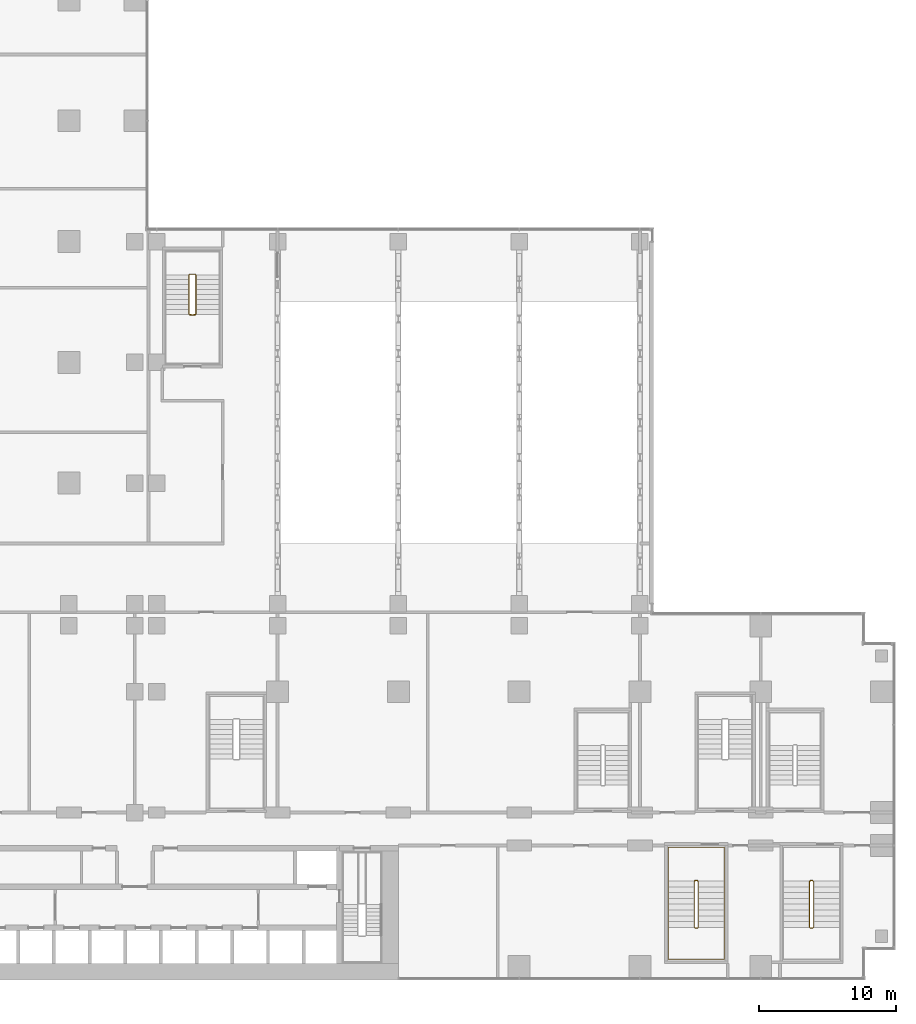
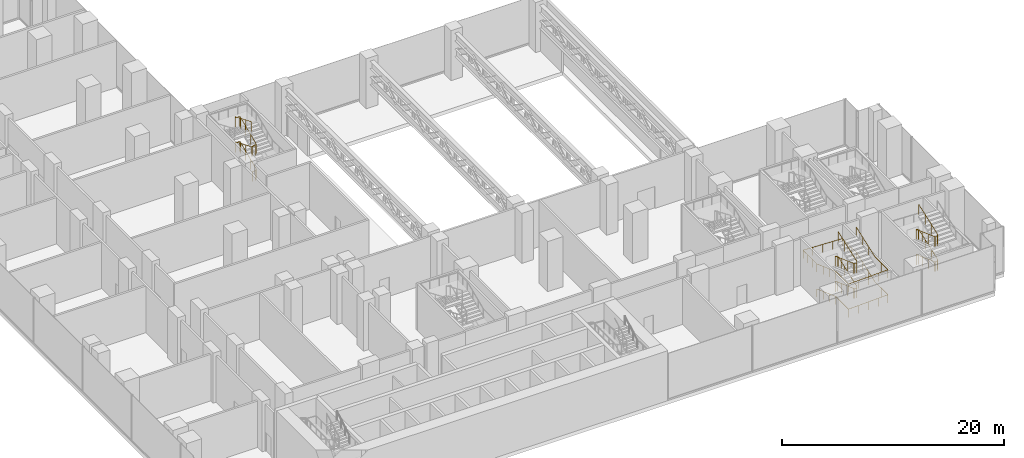
# One storey, part 28 of 30: 4 railings.
"""IFC4 building model written with IfcOpenShell, lengths in metres."""

from ifc_helpers import new_model, si_unit, direction, frame, origin, origin_2d, place, context, subcontext, project, spatial, circle, extrude, material, type_object, element, save


model = new_model("IFC4")

# Units and contexts
model_context = context("Model", 3, precision=1e-05, world=origin(), true_north=direction((0.0, 1.0)))
body_context = subcontext(model_context, "Body", "Model", "MODEL_VIEW")
ifc_project = project(units=[si_unit("LENGTHUNIT", "METRE"), si_unit("AREAUNIT", "SQUARE_METRE"), si_unit("VOLUMEUNIT", "CUBIC_METRE"), si_unit("PLANEANGLEUNIT", "RADIAN"), si_unit("MASSUNIT", "GRAM", prefix="KILO")], contexts=[model_context])

# Site, building, storey
site_placement = place(None, origin())
site = spatial("IfcSite", under=ifc_project, at=site_placement, CompositionType="ELEMENT")
building_placement = place(site_placement, origin())
building = spatial("IfcBuilding", under=site, at=building_placement, Name="Kemantara Hotel Tower", CompositionType="ELEMENT")
storey_placement = place(building_placement, frame((0.0, 0.0, 23.5)))
storey = spatial("IfcBuildingStorey", under=building, at=storey_placement, Name="L04", CompositionType="ELEMENT", Elevation=23.5)

# Railings
ifc_material = material(Name="Stainless steel balustrade", Category="steel")
railing_type_1 = type_object("IfcRailingType", Name="Stair guard 1100 mm", PredefinedType="GUARDRAIL", material=ifc_material)
railing_1_placement = place(storey_placement, frame((29.75, 48.5, 5.5)))
element("IfcRailing", 1, at=railing_1_placement, inside=storey, type_object=railing_type_1, Name="L04 PS2 stair guard 1", PredefinedType="GUARDRAIL", context=body_context, shape_type="SweptSolid", body=[
    extrude(circle(Radius=0.02392578125, at=origin_2d()), frame((0.0, 0.0, 1.076171875), z_axis=(0.0, 0.920535863683, -0.390658064903), x_axis=(-1.0, 0.0, 0.0)), (0.0, 0.0, 1.0), 3.12841796875),
    extrude(circle(Radius=0.02392578125, at=origin_2d()), frame((0.0, 2.8798828125, -0.14599609375), z_axis=(0.297155754911, 0.297155754911, -0.90741220768), x_axis=(-0.707106781187, 0.707106781187, 0.0)), (0.0, 0.0, 1.0), 0.16845703125),
    extrude(circle(Radius=0.02392578125, at=origin_2d()), frame((0.050048828125, 2.929931640625, -0.298828125), z_axis=(1.0, 0.0, 0.0), x_axis=(0.0, 1.0, 0.0)), (0.0, 0.0, 1.0), 0.39990234375),
    extrude(circle(Radius=0.02392578125, at=origin_2d()), frame((0.449951171875, 2.929931640625, -0.298828125), z_axis=(0.707106781187, -0.707106781187, 0.0), x_axis=(0.707106781187, 0.707106781187, 0.0)), (0.0, 0.0, 1.0), 0.07080078125),
    extrude(circle(Radius=0.02392578125, at=origin_2d()), frame((0.5, 2.8798828125, -0.298828125), z_axis=(0.0, -0.920535863683, -0.390658064903), x_axis=(1.0, 0.0, 0.0)), (0.0, 0.0, 1.0), 3.12841796875),
    extrude(circle(Radius=0.02392578125, at=origin_2d()), frame((0.5, 0.0, -1.52099609375), z_axis=(-0.941661397821, -0.104742586301, -0.319848092803), x_axis=(0.110549901152, -0.993870574751, 0.0)), (0.0, 0.0, 1.0), 0.477783203125),
    extrude(circle(Radius=0.02392578125, at=origin_2d()), frame((0.050048828125, -0.050048828125, -1.673828125), z_axis=(1.0, 0.0, 0.0), x_axis=(0.0, 1.0, 0.0)), (0.0, 0.0, 1.0), 0.39990234375),
    extrude(circle(Radius=0.02392578125, at=origin_2d()), frame((0.449951171875, -0.050048828125, -1.673828125), z_axis=(-0.993870574751, 0.110549901152, 0.0), x_axis=(-0.110549901152, -0.993870574751, 0.0)), (0.0, 0.0, 1.0), 0.45263671875),
    extrude(circle(Radius=0.02392578125, at=origin_2d()), frame((0.0, 0.0, -1.673828125), z_axis=(0.0, 0.920535863683, -0.390658064903), x_axis=(-1.0, 0.0, 0.0)), (0.0, 0.0, 1.0), 3.12841796875),
    extrude(circle(Radius=0.02392578125, at=origin_2d()), frame((0.0, 2.8798828125, -2.89599609375), z_axis=(0.297155754911, 0.297155754911, -0.90741220768), x_axis=(-0.707106781187, 0.707106781187, 0.0)), (0.0, 0.0, 1.0), 0.16845703125),
    extrude(circle(Radius=0.02392578125, at=origin_2d()), frame((0.050048828125, 2.929931640625, -3.048828125), z_axis=(1.0, 0.0, 0.0), x_axis=(0.0, 1.0, 0.0)), (0.0, 0.0, 1.0), 0.39990234375),
    extrude(circle(Radius=0.02392578125, at=origin_2d()), frame((0.449951171875, 2.929931640625, -3.048828125), z_axis=(0.707106781187, -0.707106781187, 0.0), x_axis=(0.707106781187, 0.707106781187, 0.0)), (0.0, 0.0, 1.0), 0.07080078125),
    extrude(circle(Radius=0.02392578125, at=origin_2d()), frame((0.5, 2.8798828125, -3.048828125), z_axis=(0.0, -0.920535863683, -0.390658064903), x_axis=(1.0, 0.0, 0.0)), (0.0, 0.0, 1.0), 3.12841796875),
    extrude(circle(Radius=0.02392578125, at=origin_2d()), frame((0.5, 0.0, -4.27099609375), z_axis=(-0.297155754911, -0.297155754911, -0.90741220768), x_axis=(0.707106781187, -0.707106781187, 0.0)), (0.0, 0.0, 1.0), 0.16845703125),
    extrude(circle(Radius=0.02392578125, at=origin_2d()), frame((0.449951171875, -0.050048828125, -4.423828125), z_axis=(-1.0, 0.0, 0.0), x_axis=(0.0, -1.0, 0.0)), (0.0, 0.0, 1.0), 0.39990234375),
    extrude(circle(Radius=0.02099609375, at=origin_2d()), origin(), (0.0, 0.0, 1.0), 1.052001953125),
    extrude(circle(Radius=0.02099609375, at=origin_2d()), frame((0.0, 0.9599609375, -0.407470703125)), (0.0, 0.0, 1.0), 1.052001953125),
    extrude(circle(Radius=0.02099609375, at=origin_2d()), frame((0.0, 1.919921875, -0.814697265625)), (0.0, 0.0, 1.0), 1.052001953125),
    extrude(circle(Radius=0.02099609375, at=origin_2d()), frame((0.0, 2.8798828125, -1.22216796875)), (0.0, 0.0, 1.0), 1.052001953125),
    extrude(circle(Radius=0.02099609375, at=origin_2d()), frame((0.050048828125, 2.929931640625, -1.375)), (0.0, 0.0, 1.0), 1.052001953125),
    extrude(circle(Radius=0.02099609375, at=origin_2d()), frame((0.449951171875, 2.929931640625, -1.375)), (0.0, 0.0, 1.0), 1.052001953125),
    extrude(circle(Radius=0.02099609375, at=origin_2d()), frame((0.5, 2.8798828125, -1.375)), (0.0, 0.0, 1.0), 1.052001953125),
    extrude(circle(Radius=0.02099609375, at=origin_2d()), frame((0.5, 1.919921875, -1.782470703125)), (0.0, 0.0, 1.0), 1.052001953125),
    extrude(circle(Radius=0.02099609375, at=origin_2d()), frame((0.5, 0.9599609375, -2.189697265625)), (0.0, 0.0, 1.0), 1.052001953125),
    extrude(circle(Radius=0.02099609375, at=origin_2d()), frame((0.5, 0.0, -2.59716796875)), (0.0, 0.0, 1.0), 1.052001953125),
    extrude(circle(Radius=0.02099609375, at=origin_2d()), frame((0.050048828125, -0.050048828125, -2.75)), (0.0, 0.0, 1.0), 1.052001953125),
    extrude(circle(Radius=0.02099609375, at=origin_2d()), frame((0.449951171875, -0.050048828125, -2.75)), (0.0, 0.0, 1.0), 1.052001953125),
    extrude(circle(Radius=0.02099609375, at=origin_2d()), frame((0.0, 0.0, -2.75)), (0.0, 0.0, 1.0), 1.052001953125),
    extrude(circle(Radius=0.02099609375, at=origin_2d()), frame((0.0, 0.9599609375, -3.157470703125)), (0.0, 0.0, 1.0), 1.052001953125),
    extrude(circle(Radius=0.02099609375, at=origin_2d()), frame((0.0, 1.919921875, -3.564697265625)), (0.0, 0.0, 1.0), 1.052001953125),
    extrude(circle(Radius=0.02099609375, at=origin_2d()), frame((0.0, 2.8798828125, -3.97216796875)), (0.0, 0.0, 1.0), 1.052001953125),
    extrude(circle(Radius=0.02099609375, at=origin_2d()), frame((0.050048828125, 2.929931640625, -4.125)), (0.0, 0.0, 1.0), 1.052001953125),
    extrude(circle(Radius=0.02099609375, at=origin_2d()), frame((0.449951171875, 2.929931640625, -4.125)), (0.0, 0.0, 1.0), 1.052001953125),
    extrude(circle(Radius=0.02099609375, at=origin_2d()), frame((0.5, 2.8798828125, -4.125)), (0.0, 0.0, 1.0), 1.052001953125),
    extrude(circle(Radius=0.02099609375, at=origin_2d()), frame((0.5, 1.919921875, -4.532470703125)), (0.0, 0.0, 1.0), 1.052001953125),
    extrude(circle(Radius=0.02099609375, at=origin_2d()), frame((0.5, 0.9599609375, -4.939697265625)), (0.0, 0.0, 1.0), 1.052001953125),
    extrude(circle(Radius=0.02099609375, at=origin_2d()), frame((0.5, 0.0, -5.34716796875)), (0.0, 0.0, 1.0), 1.052001953125),
    extrude(circle(Radius=0.02099609375, at=origin_2d()), frame((0.449951171875, -0.050048828125, -5.5)), (0.0, 0.0, 1.0), 1.052001953125),
    extrude(circle(Radius=0.02099609375, at=origin_2d()), frame((0.050048828125, -0.050048828125, -5.5)), (0.0, 0.0, 1.0), 1.052001953125),
])
railing_2_placement = place(storey_placement, frame((66.85009765625, 7.199951171875, 5.5)))
element("IfcRailing", 2, at=railing_2_placement, inside=storey, type_object=railing_type_1, Name="L04 PS4 stair guard 1", PredefinedType="GUARDRAIL", context=body_context, shape_type="SweptSolid", body=[
    extrude(circle(Radius=0.02392578125, at=origin_2d()), frame((0.0, 0.0, 1.076171875), z_axis=(0.0, -0.93975753056, -0.341841752506), x_axis=(1.0, 0.0, 0.0)), (0.0, 0.0, 1.0), 3.5751953125),
    extrude(circle(Radius=0.02392578125, at=origin_2d()), frame((0.0, -3.35986328125, -0.14599609375), z_axis=(-0.297155754911, -0.297155754911, -0.90741220768), x_axis=(0.707106781187, -0.707106781187, 0.0)), (0.0, 0.0, 1.0), 0.16845703125),
    extrude(circle(Radius=0.02392578125, at=origin_2d()), frame((-0.050048828125, -3.409912109375, -0.298828125), z_axis=(-1.0, 0.0, 0.0), x_axis=(0.0, -1.0, 0.0)), (0.0, 0.0, 1.0), 0.199951171875),
    extrude(circle(Radius=0.02392578125, at=origin_2d()), frame((-0.25, -3.409912109375, -0.298828125), z_axis=(-0.707106781187, 0.707106781187, 0.0), x_axis=(-0.707106781187, -0.707106781187, 0.0)), (0.0, 0.0, 1.0), 0.07080078125),
    extrude(circle(Radius=0.02392578125, at=origin_2d()), frame((-0.300048828125, -3.35986328125, -0.298828125), z_axis=(0.0, 0.93975753056, -0.341841752506), x_axis=(-1.0, 0.0, 0.0)), (0.0, 0.0, 1.0), 3.5751953125),
    extrude(circle(Radius=0.02392578125, at=origin_2d()), frame((-0.300048828125, 0.0, -1.52099609375), z_axis=(0.841019323802, 0.168368126347, -0.514138766309), x_axis=(-0.196300278283, 0.98054382908, 0.0)), (0.0, 0.0, 1.0), 0.29736328125),
    extrude(circle(Radius=0.02392578125, at=origin_2d()), frame((-0.050048828125, 0.050048828125, -1.673828125), z_axis=(-1.0, 0.0, 0.0), x_axis=(0.0, -1.0, 0.0)), (0.0, 0.0, 1.0), 0.199951171875),
    extrude(circle(Radius=0.02392578125, at=origin_2d()), frame((-0.25, 0.050048828125, -1.673828125), z_axis=(0.98054382908, -0.196300278283, 0.0), x_axis=(0.196300278283, 0.98054382908, 0.0)), (0.0, 0.0, 1.0), 0.2548828125),
    extrude(circle(Radius=0.02392578125, at=origin_2d()), frame((0.0, 0.0, -1.673828125), z_axis=(0.0, -0.93975753056, -0.341841752506), x_axis=(1.0, 0.0, 0.0)), (0.0, 0.0, 1.0), 3.5751953125),
    extrude(circle(Radius=0.02392578125, at=origin_2d()), frame((0.0, -3.35986328125, -2.89599609375), z_axis=(-0.297155754911, -0.297155754911, -0.90741220768), x_axis=(0.707106781187, -0.707106781187, 0.0)), (0.0, 0.0, 1.0), 0.16845703125),
    extrude(circle(Radius=0.02392578125, at=origin_2d()), frame((-0.050048828125, -3.409912109375, -3.048828125), z_axis=(-1.0, 0.0, 0.0), x_axis=(0.0, -1.0, 0.0)), (0.0, 0.0, 1.0), 0.199951171875),
    extrude(circle(Radius=0.02392578125, at=origin_2d()), frame((-0.25, -3.409912109375, -3.048828125), z_axis=(-0.707106781187, 0.707106781187, 0.0), x_axis=(-0.707106781187, -0.707106781187, 0.0)), (0.0, 0.0, 1.0), 0.07080078125),
    extrude(circle(Radius=0.02392578125, at=origin_2d()), frame((-0.300048828125, -3.35986328125, -3.048828125), z_axis=(0.0, 0.93975753056, -0.341841752506), x_axis=(-1.0, 0.0, 0.0)), (0.0, 0.0, 1.0), 3.5751953125),
    extrude(circle(Radius=0.02392578125, at=origin_2d()), frame((-0.300048828125, 0.0, -4.27099609375), z_axis=(0.297155754911, 0.297155754911, -0.90741220768), x_axis=(-0.707106781187, 0.707106781187, 0.0)), (0.0, 0.0, 1.0), 0.16845703125),
    extrude(circle(Radius=0.02392578125, at=origin_2d()), frame((-0.25, 0.050048828125, -4.423828125), z_axis=(1.0, 0.0, 0.0), x_axis=(0.0, 1.0, 0.0)), (0.0, 0.0, 1.0), 0.199951171875),
    extrude(circle(Radius=0.02099609375, at=origin_2d()), origin(), (0.0, 0.0, 1.0), 1.052001953125),
    extrude(circle(Radius=0.02099609375, at=origin_2d()), frame((0.0, -1.119873046875, -0.407470703125)), (0.0, 0.0, 1.0), 1.052001953125),
    extrude(circle(Radius=0.02099609375, at=origin_2d()), frame((0.0, -2.239990234375, -0.814697265625)), (0.0, 0.0, 1.0), 1.052001953125),
    extrude(circle(Radius=0.02099609375, at=origin_2d()), frame((0.0, -3.35986328125, -1.22216796875)), (0.0, 0.0, 1.0), 1.052001953125),
    extrude(circle(Radius=0.02099609375, at=origin_2d()), frame((-0.050048828125, -3.409912109375, -1.375)), (0.0, 0.0, 1.0), 1.052001953125),
    extrude(circle(Radius=0.02099609375, at=origin_2d()), frame((-0.25, -3.409912109375, -1.375)), (0.0, 0.0, 1.0), 1.052001953125),
    extrude(circle(Radius=0.02099609375, at=origin_2d()), frame((-0.300048828125, -3.35986328125, -1.375)), (0.0, 0.0, 1.0), 1.052001953125),
    extrude(circle(Radius=0.02099609375, at=origin_2d()), frame((-0.300048828125, -2.239990234375, -1.782470703125)), (0.0, 0.0, 1.0), 1.052001953125),
    extrude(circle(Radius=0.02099609375, at=origin_2d()), frame((-0.300048828125, -1.119873046875, -2.189697265625)), (0.0, 0.0, 1.0), 1.052001953125),
    extrude(circle(Radius=0.02099609375, at=origin_2d()), frame((-0.300048828125, 0.0, -2.59716796875)), (0.0, 0.0, 1.0), 1.052001953125),
    extrude(circle(Radius=0.02099609375, at=origin_2d()), frame((-0.050048828125, 0.050048828125, -2.75)), (0.0, 0.0, 1.0), 1.052001953125),
    extrude(circle(Radius=0.02099609375, at=origin_2d()), frame((-0.25, 0.050048828125, -2.75)), (0.0, 0.0, 1.0), 1.052001953125),
    extrude(circle(Radius=0.02099609375, at=origin_2d()), frame((0.0, 0.0, -2.75)), (0.0, 0.0, 1.0), 1.052001953125),
    extrude(circle(Radius=0.02099609375, at=origin_2d()), frame((0.0, -1.119873046875, -3.157470703125)), (0.0, 0.0, 1.0), 1.052001953125),
    extrude(circle(Radius=0.02099609375, at=origin_2d()), frame((0.0, -2.239990234375, -3.564697265625)), (0.0, 0.0, 1.0), 1.052001953125),
    extrude(circle(Radius=0.02099609375, at=origin_2d()), frame((0.0, -3.35986328125, -3.97216796875)), (0.0, 0.0, 1.0), 1.052001953125),
    extrude(circle(Radius=0.02099609375, at=origin_2d()), frame((-0.050048828125, -3.409912109375, -4.125)), (0.0, 0.0, 1.0), 1.052001953125),
    extrude(circle(Radius=0.02099609375, at=origin_2d()), frame((-0.25, -3.409912109375, -4.125)), (0.0, 0.0, 1.0), 1.052001953125),
    extrude(circle(Radius=0.02099609375, at=origin_2d()), frame((-0.300048828125, -3.35986328125, -4.125)), (0.0, 0.0, 1.0), 1.052001953125),
    extrude(circle(Radius=0.02099609375, at=origin_2d()), frame((-0.300048828125, -2.239990234375, -4.532470703125)), (0.0, 0.0, 1.0), 1.052001953125),
    extrude(circle(Radius=0.02099609375, at=origin_2d()), frame((-0.300048828125, -1.119873046875, -4.939697265625)), (0.0, 0.0, 1.0), 1.052001953125),
    extrude(circle(Radius=0.02099609375, at=origin_2d()), frame((-0.300048828125, 0.0, -5.34716796875)), (0.0, 0.0, 1.0), 1.052001953125),
    extrude(circle(Radius=0.02099609375, at=origin_2d()), frame((-0.25, 0.050048828125, -5.5)), (0.0, 0.0, 1.0), 1.052001953125),
    extrude(circle(Radius=0.02099609375, at=origin_2d()), frame((-0.050048828125, 0.050048828125, -5.5)), (0.0, 0.0, 1.0), 1.052001953125),
])
railing_3_placement = place(storey_placement, frame((75.25, 7.199951171875, 5.5)))
element("IfcRailing", 3, at=railing_3_placement, inside=storey, type_object=railing_type_1, Name="L04 PS5 stair guard 1", PredefinedType="GUARDRAIL", context=body_context, shape_type="SweptSolid", body=[
    extrude(circle(Radius=0.02392578125, at=origin_2d()), frame((0.0, 0.0, 1.076171875), z_axis=(0.0, -0.93975753056, -0.341841752506), x_axis=(1.0, 0.0, 0.0)), (0.0, 0.0, 1.0), 3.5751953125),
    extrude(circle(Radius=0.02392578125, at=origin_2d()), frame((0.0, -3.35986328125, -0.14599609375), z_axis=(-0.297155754911, -0.297155754911, -0.90741220768), x_axis=(0.707106781187, -0.707106781187, 0.0)), (0.0, 0.0, 1.0), 0.16845703125),
    extrude(circle(Radius=0.02392578125, at=origin_2d()), frame((-0.050048828125, -3.409912109375, -0.298828125), z_axis=(-1.0, 0.0, 0.0), x_axis=(0.0, -1.0, 0.0)), (0.0, 0.0, 1.0), 0.199951171875),
    extrude(circle(Radius=0.02392578125, at=origin_2d()), frame((-0.25, -3.409912109375, -0.298828125), z_axis=(-0.707106781187, 0.707106781187, 0.0), x_axis=(-0.707106781187, -0.707106781187, 0.0)), (0.0, 0.0, 1.0), 0.07080078125),
    extrude(circle(Radius=0.02392578125, at=origin_2d()), frame((-0.300048828125, -3.35986328125, -0.298828125), z_axis=(0.0, 0.93975753056, -0.341841752506), x_axis=(-1.0, 0.0, 0.0)), (0.0, 0.0, 1.0), 3.5751953125),
    extrude(circle(Radius=0.02392578125, at=origin_2d()), frame((-0.300048828125, 0.0, -1.52099609375), z_axis=(0.841019323802, 0.168368126347, -0.514138766309), x_axis=(-0.196300278283, 0.98054382908, 0.0)), (0.0, 0.0, 1.0), 0.29736328125),
    extrude(circle(Radius=0.02392578125, at=origin_2d()), frame((-0.050048828125, 0.050048828125, -1.673828125), z_axis=(-1.0, 0.0, 0.0), x_axis=(0.0, -1.0, 0.0)), (0.0, 0.0, 1.0), 0.199951171875),
    extrude(circle(Radius=0.02392578125, at=origin_2d()), frame((-0.25, 0.050048828125, -1.673828125), z_axis=(0.98054382908, -0.196300278283, 0.0), x_axis=(0.196300278283, 0.98054382908, 0.0)), (0.0, 0.0, 1.0), 0.2548828125),
    extrude(circle(Radius=0.02392578125, at=origin_2d()), frame((0.0, 0.0, -1.673828125), z_axis=(0.0, -0.93975753056, -0.341841752506), x_axis=(1.0, 0.0, 0.0)), (0.0, 0.0, 1.0), 3.5751953125),
    extrude(circle(Radius=0.02392578125, at=origin_2d()), frame((0.0, -3.35986328125, -2.89599609375), z_axis=(-0.297155754911, -0.297155754911, -0.90741220768), x_axis=(0.707106781187, -0.707106781187, 0.0)), (0.0, 0.0, 1.0), 0.16845703125),
    extrude(circle(Radius=0.02392578125, at=origin_2d()), frame((-0.050048828125, -3.409912109375, -3.048828125), z_axis=(-1.0, 0.0, 0.0), x_axis=(0.0, -1.0, 0.0)), (0.0, 0.0, 1.0), 0.199951171875),
    extrude(circle(Radius=0.02392578125, at=origin_2d()), frame((-0.25, -3.409912109375, -3.048828125), z_axis=(-0.707106781187, 0.707106781187, 0.0), x_axis=(-0.707106781187, -0.707106781187, 0.0)), (0.0, 0.0, 1.0), 0.07080078125),
    extrude(circle(Radius=0.02392578125, at=origin_2d()), frame((-0.300048828125, -3.35986328125, -3.048828125), z_axis=(0.0, 0.93975753056, -0.341841752506), x_axis=(-1.0, 0.0, 0.0)), (0.0, 0.0, 1.0), 3.5751953125),
    extrude(circle(Radius=0.02392578125, at=origin_2d()), frame((-0.300048828125, 0.0, -4.27099609375), z_axis=(0.297155754911, 0.297155754911, -0.90741220768), x_axis=(-0.707106781187, 0.707106781187, 0.0)), (0.0, 0.0, 1.0), 0.16845703125),
    extrude(circle(Radius=0.02392578125, at=origin_2d()), frame((-0.25, 0.050048828125, -4.423828125), z_axis=(1.0, 0.0, 0.0), x_axis=(0.0, 1.0, 0.0)), (0.0, 0.0, 1.0), 0.199951171875),
    extrude(circle(Radius=0.02099609375, at=origin_2d()), origin(), (0.0, 0.0, 1.0), 1.052001953125),
    extrude(circle(Radius=0.02099609375, at=origin_2d()), frame((0.0, -1.119873046875, -0.407470703125)), (0.0, 0.0, 1.0), 1.052001953125),
    extrude(circle(Radius=0.02099609375, at=origin_2d()), frame((0.0, -2.239990234375, -0.814697265625)), (0.0, 0.0, 1.0), 1.052001953125),
    extrude(circle(Radius=0.02099609375, at=origin_2d()), frame((0.0, -3.35986328125, -1.22216796875)), (0.0, 0.0, 1.0), 1.052001953125),
    extrude(circle(Radius=0.02099609375, at=origin_2d()), frame((-0.050048828125, -3.409912109375, -1.375)), (0.0, 0.0, 1.0), 1.052001953125),
    extrude(circle(Radius=0.02099609375, at=origin_2d()), frame((-0.25, -3.409912109375, -1.375)), (0.0, 0.0, 1.0), 1.052001953125),
    extrude(circle(Radius=0.02099609375, at=origin_2d()), frame((-0.300048828125, -3.35986328125, -1.375)), (0.0, 0.0, 1.0), 1.052001953125),
    extrude(circle(Radius=0.02099609375, at=origin_2d()), frame((-0.300048828125, -2.239990234375, -1.782470703125)), (0.0, 0.0, 1.0), 1.052001953125),
    extrude(circle(Radius=0.02099609375, at=origin_2d()), frame((-0.300048828125, -1.119873046875, -2.189697265625)), (0.0, 0.0, 1.0), 1.052001953125),
    extrude(circle(Radius=0.02099609375, at=origin_2d()), frame((-0.300048828125, 0.0, -2.59716796875)), (0.0, 0.0, 1.0), 1.052001953125),
    extrude(circle(Radius=0.02099609375, at=origin_2d()), frame((-0.050048828125, 0.050048828125, -2.75)), (0.0, 0.0, 1.0), 1.052001953125),
    extrude(circle(Radius=0.02099609375, at=origin_2d()), frame((-0.25, 0.050048828125, -2.75)), (0.0, 0.0, 1.0), 1.052001953125),
    extrude(circle(Radius=0.02099609375, at=origin_2d()), frame((0.0, 0.0, -2.75)), (0.0, 0.0, 1.0), 1.052001953125),
    extrude(circle(Radius=0.02099609375, at=origin_2d()), frame((0.0, -1.119873046875, -3.157470703125)), (0.0, 0.0, 1.0), 1.052001953125),
    extrude(circle(Radius=0.02099609375, at=origin_2d()), frame((0.0, -2.239990234375, -3.564697265625)), (0.0, 0.0, 1.0), 1.052001953125),
    extrude(circle(Radius=0.02099609375, at=origin_2d()), frame((0.0, -3.35986328125, -3.97216796875)), (0.0, 0.0, 1.0), 1.052001953125),
    extrude(circle(Radius=0.02099609375, at=origin_2d()), frame((-0.050048828125, -3.409912109375, -4.125)), (0.0, 0.0, 1.0), 1.052001953125),
    extrude(circle(Radius=0.02099609375, at=origin_2d()), frame((-0.25, -3.409912109375, -4.125)), (0.0, 0.0, 1.0), 1.052001953125),
    extrude(circle(Radius=0.02099609375, at=origin_2d()), frame((-0.300048828125, -3.35986328125, -4.125)), (0.0, 0.0, 1.0), 1.052001953125),
    extrude(circle(Radius=0.02099609375, at=origin_2d()), frame((-0.300048828125, -2.239990234375, -4.532470703125)), (0.0, 0.0, 1.0), 1.052001953125),
    extrude(circle(Radius=0.02099609375, at=origin_2d()), frame((-0.300048828125, -1.119873046875, -4.939697265625)), (0.0, 0.0, 1.0), 1.052001953125),
    extrude(circle(Radius=0.02099609375, at=origin_2d()), frame((-0.300048828125, 0.0, -5.34716796875)), (0.0, 0.0, 1.0), 1.052001953125),
    extrude(circle(Radius=0.02099609375, at=origin_2d()), frame((-0.25, 0.050048828125, -5.5)), (0.0, 0.0, 1.0), 1.052001953125),
    extrude(circle(Radius=0.02099609375, at=origin_2d()), frame((-0.050048828125, 0.050048828125, -5.5)), (0.0, 0.0, 1.0), 1.052001953125),
])
railing_type_2 = type_object("IfcRailingType", Name="Stair handrail 900 mm", PredefinedType="HANDRAIL", material=ifc_material)
railing_4_placement = place(storey_placement, frame((64.64990234375, 7.199951171875, 0.15283203125)))
element("IfcRailing", 4, at=railing_4_placement, inside=storey, type_object=railing_type_2, Name="L04 PS4 stair handrail 1", PredefinedType="HANDRAIL", context=body_context, shape_type="SweptSolid", body=[
    extrude(circle(Radius=0.02392578125, at=origin_2d()), frame((0.0, 0.0, 0.8759765625), z_axis=(0.0, -0.93975753056, 0.341841752506), x_axis=(1.0, 0.0, 0.0)), (0.0, 0.0, 1.0), 3.5751953125),
    extrude(circle(Radius=0.02392578125, at=origin_2d()), frame((0.0, -3.35986328125, 2.09814453125), z_axis=(0.0, -1.0, 0.0), x_axis=(1.0, 0.0, 0.0)), (0.0, 0.0, 1.0), 2.320068359375),
    extrude(circle(Radius=0.02392578125, at=origin_2d()), frame((0.0, -5.679931640625, 2.09814453125), z_axis=(0.999306002205, 0.0, 0.037249348421), x_axis=(0.0, 1.0, 0.0)), (0.0, 0.0, 1.0), 4.10302734375),
    extrude(circle(Radius=0.02392578125, at=origin_2d()), frame((4.10009765625, -5.679931640625, 2.2509765625), z_axis=(0.0, 1.0, 0.0), x_axis=(-1.0, 0.0, 0.0)), (0.0, 0.0, 1.0), 2.320068359375),
    extrude(circle(Radius=0.02392578125, at=origin_2d()), frame((4.10009765625, -3.35986328125, 2.2509765625), z_axis=(0.0, 0.93975753056, 0.341841752506), x_axis=(-1.0, 0.0, 0.0)), (0.0, 0.0, 1.0), 3.5751953125),
    extrude(circle(Radius=0.02392578125, at=origin_2d()), frame((4.10009765625, 0.0, 3.47314453125), z_axis=(0.0, 1.0, 0.0), x_axis=(-1.0, 0.0, 0.0)), (0.0, 0.0, 1.0), 2.47998046875),
    extrude(circle(Radius=0.02392578125, at=origin_2d()), frame((4.10009765625, 2.47998046875, 3.47314453125), z_axis=(-0.999306002205, 0.0, 0.037249348421), x_axis=(0.0, -1.0, 0.0)), (0.0, 0.0, 1.0), 4.10302734375),
    extrude(circle(Radius=0.02392578125, at=origin_2d()), frame((0.0, 2.47998046875, 3.6259765625), z_axis=(0.0, -1.0, 0.0), x_axis=(1.0, 0.0, 0.0)), (0.0, 0.0, 1.0), 2.47998046875),
    extrude(circle(Radius=0.02392578125, at=origin_2d()), frame((0.0, 0.0, 3.6259765625), z_axis=(0.0, -0.93975753056, 0.341841752506), x_axis=(1.0, 0.0, 0.0)), (0.0, 0.0, 1.0), 3.5751953125),
    extrude(circle(Radius=0.02392578125, at=origin_2d()), frame((0.0, -3.35986328125, 4.84814453125), z_axis=(0.0, -1.0, 0.0), x_axis=(1.0, 0.0, 0.0)), (0.0, 0.0, 1.0), 2.320068359375),
    extrude(circle(Radius=0.02392578125, at=origin_2d()), frame((0.0, -5.679931640625, 4.84814453125), z_axis=(0.999306002205, 0.0, 0.037249348421), x_axis=(0.0, 1.0, 0.0)), (0.0, 0.0, 1.0), 4.10302734375),
    extrude(circle(Radius=0.02392578125, at=origin_2d()), frame((4.10009765625, -5.679931640625, 5.0009765625), z_axis=(0.0, 1.0, 0.0), x_axis=(-1.0, 0.0, 0.0)), (0.0, 0.0, 1.0), 2.320068359375),
    extrude(circle(Radius=0.02392578125, at=origin_2d()), frame((4.10009765625, -3.35986328125, 5.0009765625), z_axis=(0.0, 0.93975753056, 0.341841752506), x_axis=(-1.0, 0.0, 0.0)), (0.0, 0.0, 1.0), 3.5751953125),
    extrude(circle(Radius=0.02099609375, at=origin_2d()), origin(), (0.0, 0.0, 1.0), 0.851806640625),
    extrude(circle(Radius=0.02099609375, at=origin_2d()), frame((0.0, -1.119873046875, 0.407470703125)), (0.0, 0.0, 1.0), 0.851806640625),
    extrude(circle(Radius=0.02099609375, at=origin_2d()), frame((0.0, -2.239990234375, 0.814697265625)), (0.0, 0.0, 1.0), 0.851806640625),
    extrude(circle(Radius=0.02099609375, at=origin_2d()), frame((0.0, -3.35986328125, 1.22216796875)), (0.0, 0.0, 1.0), 0.851806640625),
    extrude(circle(Radius=0.02099609375, at=origin_2d()), frame((0.0, -4.52001953125, 1.22216796875)), (0.0, 0.0, 1.0), 0.851806640625),
    extrude(circle(Radius=0.02099609375, at=origin_2d()), frame((0.0, -5.679931640625, 1.22216796875)), (0.0, 0.0, 1.0), 0.851806640625),
    extrude(circle(Radius=0.02099609375, at=origin_2d()), frame((1.02490234375, -5.679931640625, 1.26025390625)), (0.0, 0.0, 1.0), 0.851806640625),
    extrude(circle(Radius=0.02099609375, at=origin_2d()), frame((2.050048828125, -5.679931640625, 1.298583984375)), (0.0, 0.0, 1.0), 0.851806640625),
    extrude(circle(Radius=0.02099609375, at=origin_2d()), frame((3.0751953125, -5.679931640625, 1.3369140625)), (0.0, 0.0, 1.0), 0.851806640625),
    extrude(circle(Radius=0.02099609375, at=origin_2d()), frame((4.10009765625, -5.679931640625, 1.375)), (0.0, 0.0, 1.0), 0.851806640625),
    extrude(circle(Radius=0.02099609375, at=origin_2d()), frame((4.10009765625, -4.52001953125, 1.375)), (0.0, 0.0, 1.0), 0.851806640625),
    extrude(circle(Radius=0.02099609375, at=origin_2d()), frame((4.10009765625, -3.35986328125, 1.375)), (0.0, 0.0, 1.0), 0.851806640625),
    extrude(circle(Radius=0.02099609375, at=origin_2d()), frame((4.10009765625, -2.239990234375, 1.782470703125)), (0.0, 0.0, 1.0), 0.851806640625),
    extrude(circle(Radius=0.02099609375, at=origin_2d()), frame((4.10009765625, -1.119873046875, 2.189697265625)), (0.0, 0.0, 1.0), 0.851806640625),
    extrude(circle(Radius=0.02099609375, at=origin_2d()), frame((4.10009765625, 0.0, 2.59716796875)), (0.0, 0.0, 1.0), 0.851806640625),
    extrude(circle(Radius=0.02099609375, at=origin_2d()), frame((4.10009765625, 0.82666015625, 2.59716796875)), (0.0, 0.0, 1.0), 0.851806640625),
    extrude(circle(Radius=0.02099609375, at=origin_2d()), frame((4.10009765625, 1.6533203125, 2.59716796875)), (0.0, 0.0, 1.0), 0.851806640625),
    extrude(circle(Radius=0.02099609375, at=origin_2d()), frame((4.10009765625, 2.47998046875, 2.59716796875)), (0.0, 0.0, 1.0), 0.851806640625),
    extrude(circle(Radius=0.02099609375, at=origin_2d()), frame((3.0751953125, 2.47998046875, 2.63525390625)), (0.0, 0.0, 1.0), 0.851806640625),
    extrude(circle(Radius=0.02099609375, at=origin_2d()), frame((2.050048828125, 2.47998046875, 2.673583984375)), (0.0, 0.0, 1.0), 0.851806640625),
    extrude(circle(Radius=0.02099609375, at=origin_2d()), frame((1.02490234375, 2.47998046875, 2.7119140625)), (0.0, 0.0, 1.0), 0.851806640625),
    extrude(circle(Radius=0.02099609375, at=origin_2d()), frame((0.0, 2.47998046875, 2.75)), (0.0, 0.0, 1.0), 0.851806640625),
    extrude(circle(Radius=0.02099609375, at=origin_2d()), frame((0.0, 1.6533203125, 2.75)), (0.0, 0.0, 1.0), 0.851806640625),
    extrude(circle(Radius=0.02099609375, at=origin_2d()), frame((0.0, 0.82666015625, 2.75)), (0.0, 0.0, 1.0), 0.851806640625),
    extrude(circle(Radius=0.02099609375, at=origin_2d()), frame((0.0, 0.0, 2.75)), (0.0, 0.0, 1.0), 0.851806640625),
    extrude(circle(Radius=0.02099609375, at=origin_2d()), frame((0.0, -1.119873046875, 3.157470703125)), (0.0, 0.0, 1.0), 0.851806640625),
    extrude(circle(Radius=0.02099609375, at=origin_2d()), frame((0.0, -2.239990234375, 3.564697265625)), (0.0, 0.0, 1.0), 0.851806640625),
    extrude(circle(Radius=0.02099609375, at=origin_2d()), frame((0.0, -3.35986328125, 3.97216796875)), (0.0, 0.0, 1.0), 0.851806640625),
    extrude(circle(Radius=0.02099609375, at=origin_2d()), frame((0.0, -4.52001953125, 3.97216796875)), (0.0, 0.0, 1.0), 0.851806640625),
    extrude(circle(Radius=0.02099609375, at=origin_2d()), frame((0.0, -5.679931640625, 3.97216796875)), (0.0, 0.0, 1.0), 0.851806640625),
    extrude(circle(Radius=0.02099609375, at=origin_2d()), frame((1.02490234375, -5.679931640625, 4.01025390625)), (0.0, 0.0, 1.0), 0.851806640625),
    extrude(circle(Radius=0.02099609375, at=origin_2d()), frame((2.050048828125, -5.679931640625, 4.048583984375)), (0.0, 0.0, 1.0), 0.851806640625),
    extrude(circle(Radius=0.02099609375, at=origin_2d()), frame((3.0751953125, -5.679931640625, 4.0869140625)), (0.0, 0.0, 1.0), 0.851806640625),
    extrude(circle(Radius=0.02099609375, at=origin_2d()), frame((4.10009765625, -5.679931640625, 4.125)), (0.0, 0.0, 1.0), 0.851806640625),
    extrude(circle(Radius=0.02099609375, at=origin_2d()), frame((4.10009765625, -4.52001953125, 4.125)), (0.0, 0.0, 1.0), 0.851806640625),
    extrude(circle(Radius=0.02099609375, at=origin_2d()), frame((4.10009765625, -3.35986328125, 4.125)), (0.0, 0.0, 1.0), 0.851806640625),
    extrude(circle(Radius=0.02099609375, at=origin_2d()), frame((4.10009765625, -2.239990234375, 4.532470703125)), (0.0, 0.0, 1.0), 0.851806640625),
    extrude(circle(Radius=0.02099609375, at=origin_2d()), frame((4.10009765625, -1.119873046875, 4.939697265625)), (0.0, 0.0, 1.0), 0.851806640625),
    extrude(circle(Radius=0.02099609375, at=origin_2d()), frame((4.10009765625, 0.0, 5.34716796875)), (0.0, 0.0, 1.0), 0.851806640625),
])

save(model, "model.ifc")
